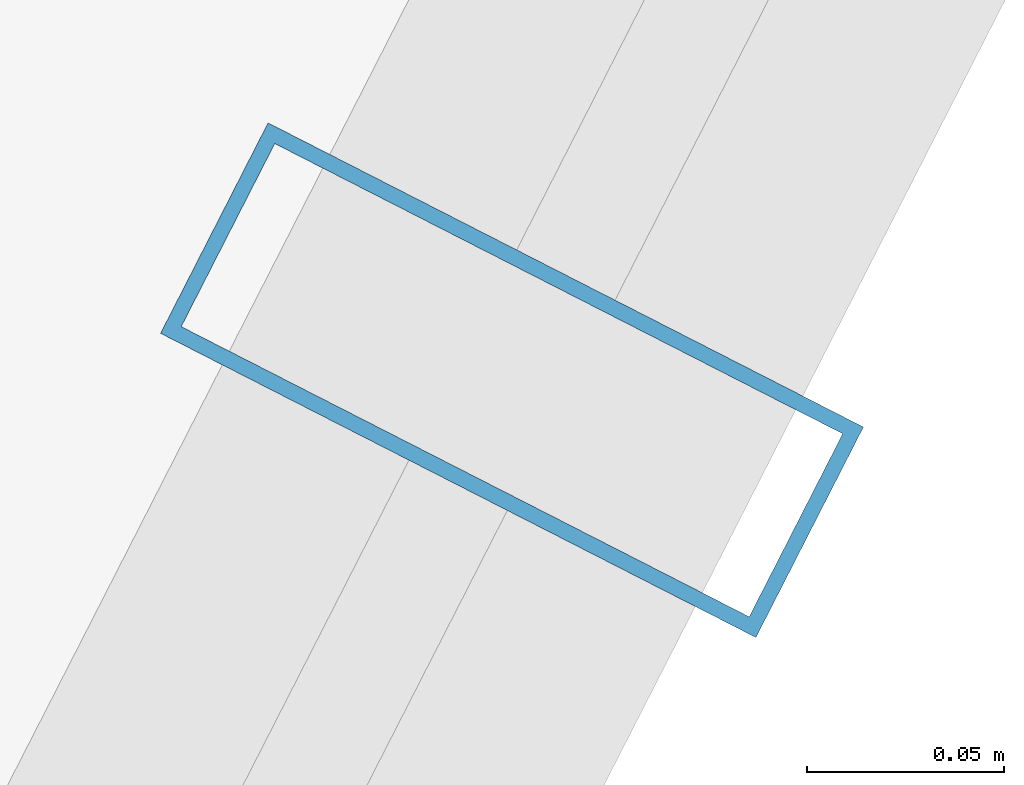
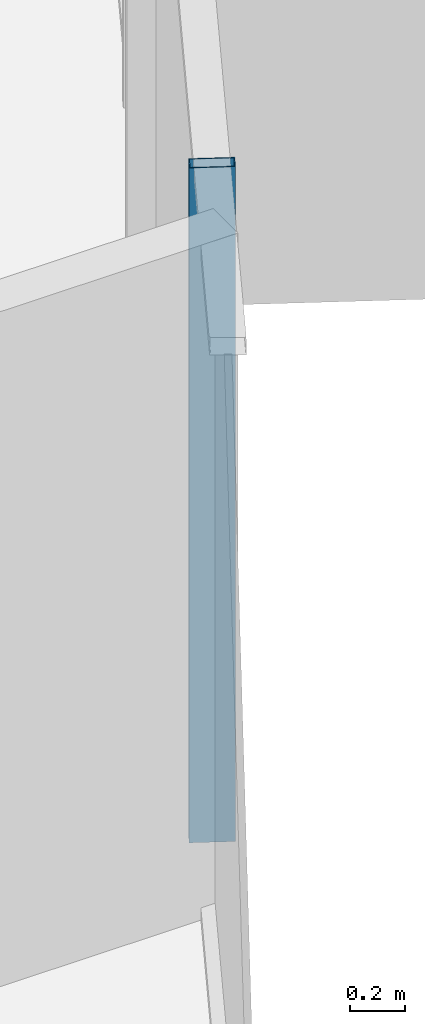
# One storey, part 16 of 37: 1 member, 1 element without a shape of its own.
"""IFC4 building model written with IfcOpenShell, lengths in metres."""

from ifc_helpers import new_model, si_unit, direction, frame, origin, origin_2d, place, context, subcontext, project, spatial, hollow_rectangle, extrude, source, transform, mapped, material, layer, layer_set, material_profile, profile_set, type_object, element, aggregate, save


model = new_model("IFC4")

# Units and contexts
model_context = context("Model", 3, precision=1e-05, world=origin(), true_north=direction((0.0, 1.0)))
body_context = subcontext(model_context, "Body", "Model", "MODEL_VIEW")
ifc_project = project(units=[si_unit("LENGTHUNIT", "METRE"), si_unit("AREAUNIT", "SQUARE_METRE"), si_unit("VOLUMEUNIT", "CUBIC_METRE"), si_unit("PLANEANGLEUNIT", "RADIAN"), si_unit("MASSUNIT", "GRAM", prefix="KILO")], contexts=[model_context])

# Site, building, storey
site_placement = place(None, origin())
site = spatial("IfcSite", under=ifc_project, at=site_placement, CompositionType="ELEMENT")
building_placement = place(site_placement, origin())
building = spatial("IfcBuilding", under=site, at=building_placement, Name="Veraguas Prism Commons", CompositionType="ELEMENT")
storey_placement = place(building_placement, frame((0.0, 0.0, 33.800048828125)))
storey = spatial("IfcBuildingStorey", under=building, at=storey_placement, Name="L08", CompositionType="ELEMENT", Elevation=33.800048828125)

# Curtain wall, member
ifc_material = material(Name="Anodised aluminium EN AW-6063 T6", Category="aluminium")
ifc_layer = layer(ifc_material, 0.169921875, Name="Unitised Flush Curtain Wall Zone 1", Category="aluminium")
ifc_layer_set = layer_set([ifc_layer], Name="Anodised aluminium EN AW-6063 T6")
curtain_wall_type = type_object("IfcCurtainWallType", Name="Unitised Flush Curtain Wall Zone 1", PredefinedType="NOTDEFINED", material=ifc_layer_set)
curtain_wall_placement = place(storey_placement, origin())
curtain_wall = element("IfcCurtainWall", 1, at=curtain_wall_placement, inside=storey, type_object=curtain_wall_type, Name="Tower Facade Curtain Wall L08-F6", PredefinedType="NOTDEFINED")
ifc_material_profile = material_profile(ifc_material, hollow_rectangle(XDim=0.06005859375, YDim=0.169921875, WallThickness=0.00390625, at=origin_2d()), Name="AL60X170X4")
ifc_profile_set = profile_set([ifc_material_profile], Name="Anodised aluminium EN AW-6063 T6")
member_type = type_object("IfcMemberType", Name="Curtain Wall Mullion Lower AL 60x170x4", PredefinedType="MULLION", material=ifc_profile_set)
shared_shape = source(origin(), body_context, "Body", "SweptSolid", [
    extrude(hollow_rectangle(XDim=0.06005859375, YDim=0.169921875, WallThickness=0.00390625, at=origin_2d()), origin(), (0.0, 0.0, 1.0), 3.0),
])
member_placement = place(storey_placement, frame((42.50927734375, 14.544677734375, 0.0), z_axis=(0.0, 0.0, 1.0), x_axis=(0.454921756221, 0.890531411976, 0.0)))
member = element("IfcMember", 2, at=member_placement, type_object=member_type, Name="CW-Z1 Mullion 3", PredefinedType="MULLION", context=body_context, shape_type="MappedRepresentation", body=[
    mapped(shared_shape, transform((0.0, 0.0, 0.0), scale=1.0)),
])
aggregate(curtain_wall, [member])

save(model, "model.ifc")
